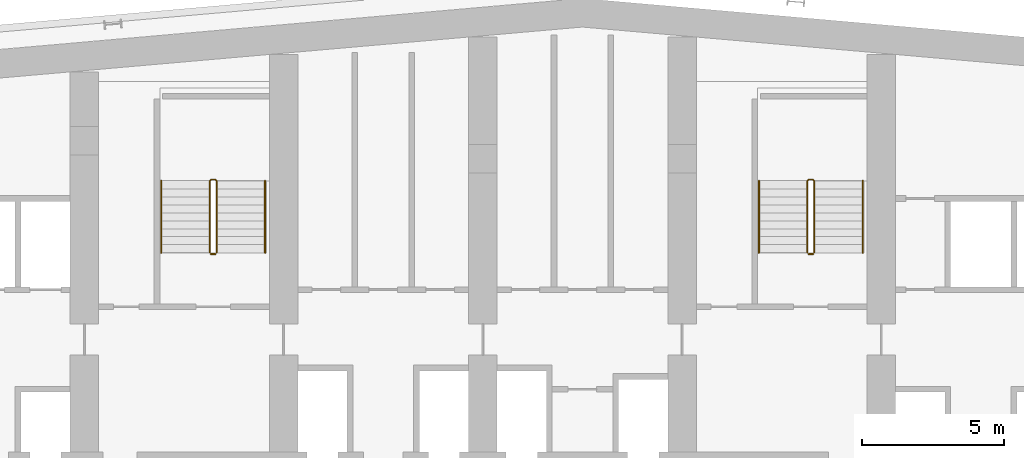
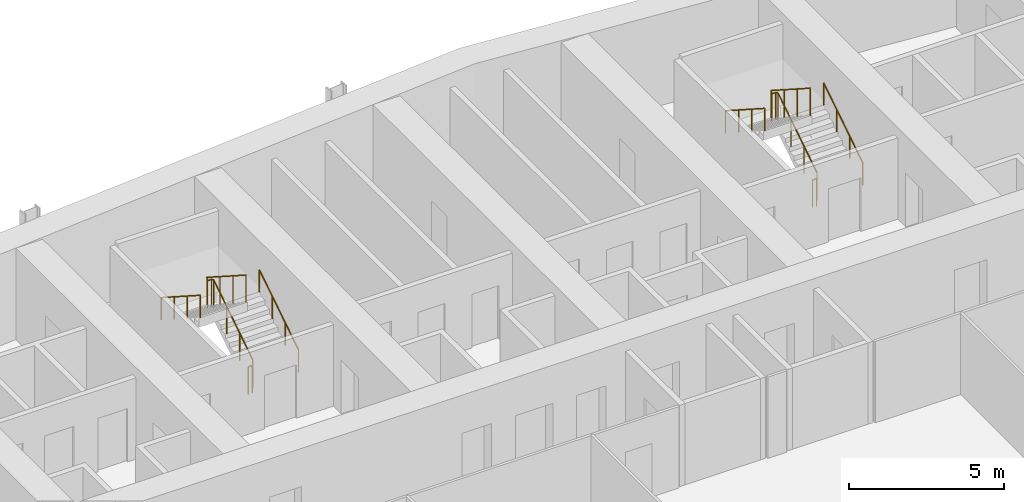
# One storey, part 25 of 26: 8 railings.
"""IFC4 building model written with IfcOpenShell, lengths in metres."""

from ifc_helpers import new_model, si_unit, direction, frame, origin, origin_2d, place, context, subcontext, project, spatial, circle, extrude, material, type_object, element, save


model = new_model("IFC4")

# Units and contexts
model_context = context("Model", 3, precision=1e-05, world=origin(), true_north=direction((0.0, 1.0)))
body_context = subcontext(model_context, "Body", "Model", "MODEL_VIEW")
ifc_project = project(units=[si_unit("LENGTHUNIT", "METRE"), si_unit("AREAUNIT", "SQUARE_METRE"), si_unit("VOLUMEUNIT", "CUBIC_METRE"), si_unit("PLANEANGLEUNIT", "RADIAN"), si_unit("MASSUNIT", "GRAM", prefix="KILO")], contexts=[model_context])

# Site, building, storey
site_placement = place(None, origin())
site = spatial("IfcSite", under=ifc_project, at=site_placement, CompositionType="ELEMENT")
building_placement = place(site_placement, origin())
building = spatial("IfcBuilding", under=site, at=building_placement, Name="Wharfspan Tower", CompositionType="ELEMENT")
storey_placement = place(building_placement, frame((0.0, 0.0, 96.699951)))
storey = spatial("IfcBuildingStorey", under=building, at=storey_placement, Name="L21", CompositionType="ELEMENT", Elevation=96.699951)

# Railings
ifc_material = material(Name="Steel S355J2", Category="steel")
railing_type_1 = type_object("IfcRailingType", Name="Stair guard 1100", PredefinedType="GUARDRAIL", material=ifc_material)
railing_1_placement = place(storey_placement, frame((27.649902, 42.0, 0.179932)))
element("IfcRailing", 1, at=railing_1_placement, inside=storey, type_object=railing_type_1, Name="L21 ST1 stair guard 1", PredefinedType="GUARDRAIL", context=body_context, shape_type="SweptSolid", body=[
    extrude(circle(Radius=0.023926, at=origin_2d()), frame((0.0, 0.0, 1.076172), z_axis=(0.0, 0.841163, 0.540782), x_axis=(-1.0, 0.0, 0.0)), (0.0, 0.0, 1.0), 2.99585),
    extrude(circle(Radius=0.023926, at=origin_2d()), frame((0.0, 2.52002, 2.696289), z_axis=(-0.705376, 0.708834, 0.0), x_axis=(-0.708834, -0.705376, 0.0)), (0.0, 0.0, 1.0), 0.070557),
    extrude(circle(Radius=0.023926, at=origin_2d()), frame((-0.049805, 2.570068, 2.696289), z_axis=(-1.0, 0.0, 0.0), x_axis=(0.0, -1.0, 0.0)), (0.0, 0.0, 1.0), 0.150146),
    extrude(circle(Radius=0.023926, at=origin_2d()), frame((-0.199951, 2.570068, 2.696289), z_axis=(-0.258848, -0.258848, 0.930589), x_axis=(0.707107, -0.707107, 0.0)), (0.0, 0.0, 1.0), 0.193359),
    extrude(circle(Radius=0.023926, at=origin_2d()), frame((-0.25, 2.52002, 2.875977), z_axis=(0.0, -0.841163, 0.540782), x_axis=(1.0, 0.0, 0.0)), (0.0, 0.0, 1.0), 2.99585),
    extrude(circle(Radius=0.020996, at=origin_2d()), origin(), (0.0, 0.0, 1.0), 1.052002),
    extrude(circle(Radius=0.020996, at=origin_2d()), frame((0.0, 0.840088, 0.540039)), (0.0, 0.0, 1.0), 1.052002),
    extrude(circle(Radius=0.020996, at=origin_2d()), frame((0.0, 1.679932, 1.080078)), (0.0, 0.0, 1.0), 1.052002),
    extrude(circle(Radius=0.020996, at=origin_2d()), frame((0.0, 2.52002, 1.620117)), (0.0, 0.0, 1.0), 1.052002),
    extrude(circle(Radius=0.020996, at=origin_2d()), frame((-0.049805, 2.570068, 1.620117)), (0.0, 0.0, 1.0), 1.052002),
    extrude(circle(Radius=0.020996, at=origin_2d()), frame((-0.199951, 2.570068, 1.620117)), (0.0, 0.0, 1.0), 1.052002),
    extrude(circle(Radius=0.020996, at=origin_2d()), frame((-0.25, 2.52002, 1.800049)), (0.0, 0.0, 1.0), 1.052002),
    extrude(circle(Radius=0.020996, at=origin_2d()), frame((-0.25, 1.679932, 2.340088)), (0.0, 0.0, 1.0), 1.052002),
    extrude(circle(Radius=0.020996, at=origin_2d()), frame((-0.25, 0.840088, 2.880127)), (0.0, 0.0, 1.0), 1.052002),
    extrude(circle(Radius=0.020996, at=origin_2d()), frame((-0.25, 0.0, 3.420166)), (0.0, 0.0, 1.0), 1.052002),
])
railing_2_placement = place(storey_placement, frame((27.600098, 41.949951, 0.0)))
element("IfcRailing", 2, at=railing_2_placement, inside=storey, type_object=railing_type_1, Name="L21 ST1 stair guard 2", PredefinedType="GUARDRAIL", context=body_context, shape_type="SweptSolid", body=[
    extrude(circle(Radius=0.023926, at=origin_2d()), frame((0.0, 0.0, 1.076172), z_axis=(-1.0, 0.0, 0.0), x_axis=(0.0, -1.0, 0.0)), (0.0, 0.0, 1.0), 0.150146),
    extrude(circle(Radius=0.020996, at=origin_2d()), origin(), (0.0, 0.0, 1.0), 1.052002),
    extrude(circle(Radius=0.020996, at=origin_2d()), frame((-0.150146, 0.0, 0.0)), (0.0, 0.0, 1.0), 1.052002),
])
railing_3_placement = place(storey_placement, frame((48.649902, 42.0, 0.179932)))
element("IfcRailing", 3, at=railing_3_placement, inside=storey, type_object=railing_type_1, Name="L21 ST2 stair guard 1", PredefinedType="GUARDRAIL", context=body_context, shape_type="SweptSolid", body=[
    extrude(circle(Radius=0.023926, at=origin_2d()), frame((0.0, 0.0, 1.076172), z_axis=(0.0, 0.841163, 0.540782), x_axis=(-1.0, 0.0, 0.0)), (0.0, 0.0, 1.0), 2.99585),
    extrude(circle(Radius=0.023926, at=origin_2d()), frame((0.0, 2.52002, 2.696289), z_axis=(-0.705376, 0.708834, 0.0), x_axis=(-0.708834, -0.705376, 0.0)), (0.0, 0.0, 1.0), 0.070557),
    extrude(circle(Radius=0.023926, at=origin_2d()), frame((-0.049805, 2.570068, 2.696289), z_axis=(-1.0, 0.0, 0.0), x_axis=(0.0, -1.0, 0.0)), (0.0, 0.0, 1.0), 0.150146),
    extrude(circle(Radius=0.023926, at=origin_2d()), frame((-0.199951, 2.570068, 2.696289), z_axis=(-0.258848, -0.258848, 0.930589), x_axis=(0.707107, -0.707107, 0.0)), (0.0, 0.0, 1.0), 0.193359),
    extrude(circle(Radius=0.023926, at=origin_2d()), frame((-0.25, 2.52002, 2.875977), z_axis=(0.0, -0.841163, 0.540782), x_axis=(1.0, 0.0, 0.0)), (0.0, 0.0, 1.0), 2.99585),
    extrude(circle(Radius=0.020996, at=origin_2d()), origin(), (0.0, 0.0, 1.0), 1.052002),
    extrude(circle(Radius=0.020996, at=origin_2d()), frame((0.0, 0.840088, 0.540039)), (0.0, 0.0, 1.0), 1.052002),
    extrude(circle(Radius=0.020996, at=origin_2d()), frame((0.0, 1.679932, 1.080078)), (0.0, 0.0, 1.0), 1.052002),
    extrude(circle(Radius=0.020996, at=origin_2d()), frame((0.0, 2.52002, 1.620117)), (0.0, 0.0, 1.0), 1.052002),
    extrude(circle(Radius=0.020996, at=origin_2d()), frame((-0.049805, 2.570068, 1.620117)), (0.0, 0.0, 1.0), 1.052002),
    extrude(circle(Radius=0.020996, at=origin_2d()), frame((-0.199951, 2.570068, 1.620117)), (0.0, 0.0, 1.0), 1.052002),
    extrude(circle(Radius=0.020996, at=origin_2d()), frame((-0.25, 2.52002, 1.800049)), (0.0, 0.0, 1.0), 1.052002),
    extrude(circle(Radius=0.020996, at=origin_2d()), frame((-0.25, 1.679932, 2.340088)), (0.0, 0.0, 1.0), 1.052002),
    extrude(circle(Radius=0.020996, at=origin_2d()), frame((-0.25, 0.840088, 2.880127)), (0.0, 0.0, 1.0), 1.052002),
    extrude(circle(Radius=0.020996, at=origin_2d()), frame((-0.25, 0.0, 3.420166)), (0.0, 0.0, 1.0), 1.052002),
])
railing_4_placement = place(storey_placement, frame((48.600098, 41.949951, 0.0)))
element("IfcRailing", 4, at=railing_4_placement, inside=storey, type_object=railing_type_1, Name="L21 ST2 stair guard 2", PredefinedType="GUARDRAIL", context=body_context, shape_type="SweptSolid", body=[
    extrude(circle(Radius=0.023926, at=origin_2d()), frame((0.0, 0.0, 1.076172), z_axis=(-1.0, 0.0, 0.0), x_axis=(0.0, -1.0, 0.0)), (0.0, 0.0, 1.0), 0.150146),
    extrude(circle(Radius=0.020996, at=origin_2d()), origin(), (0.0, 0.0, 1.0), 1.052002),
    extrude(circle(Radius=0.020996, at=origin_2d()), frame((-0.150146, 0.0, 0.0)), (0.0, 0.0, 1.0), 1.052002),
])
railing_type_2 = type_object("IfcRailingType", Name="Stair handrail 900", PredefinedType="HANDRAIL", material=ifc_material)
railing_5_placement = place(storey_placement, frame((29.350098, 42.0, 0.179932)))
element("IfcRailing", 5, at=railing_5_placement, inside=storey, type_object=railing_type_2, Name="L21 ST1 stair handrail 1", PredefinedType="HANDRAIL", context=body_context, shape_type="SweptSolid", body=[
    extrude(circle(Radius=0.023926, at=origin_2d()), frame((0.0, 0.0, 0.875977), z_axis=(0.0, 0.841163, 0.540782), x_axis=(-1.0, 0.0, 0.0)), (0.0, 0.0, 1.0), 2.99585),
    extrude(circle(Radius=0.020996, at=origin_2d()), origin(), (0.0, 0.0, 1.0), 0.851807),
    extrude(circle(Radius=0.020996, at=origin_2d()), frame((0.0, 0.840088, 0.540039)), (0.0, 0.0, 1.0), 0.851807),
    extrude(circle(Radius=0.020996, at=origin_2d()), frame((0.0, 1.679932, 1.080078)), (0.0, 0.0, 1.0), 0.851807),
    extrude(circle(Radius=0.020996, at=origin_2d()), frame((0.0, 2.52002, 1.620117)), (0.0, 0.0, 1.0), 0.851807),
])
railing_6_placement = place(storey_placement, frame((25.699951, 44.52002, 1.97998)))
element("IfcRailing", 6, at=railing_6_placement, inside=storey, type_object=railing_type_2, Name="L21 ST1 stair handrail 2", PredefinedType="HANDRAIL", context=body_context, shape_type="SweptSolid", body=[
    extrude(circle(Radius=0.023926, at=origin_2d()), frame((0.0, 0.0, 0.875977), z_axis=(0.0, -0.841163, 0.540782), x_axis=(1.0, 0.0, 0.0)), (0.0, 0.0, 1.0), 2.99585),
    extrude(circle(Radius=0.020996, at=origin_2d()), origin(), (0.0, 0.0, 1.0), 0.851807),
    extrude(circle(Radius=0.020996, at=origin_2d()), frame((0.0, -0.840088, 0.540039)), (0.0, 0.0, 1.0), 0.851807),
    extrude(circle(Radius=0.020996, at=origin_2d()), frame((0.0, -1.679932, 1.080078)), (0.0, 0.0, 1.0), 0.851807),
    extrude(circle(Radius=0.020996, at=origin_2d()), frame((0.0, -2.52002, 1.620117)), (0.0, 0.0, 1.0), 0.851807),
])
railing_7_placement = place(storey_placement, frame((50.350098, 42.0, 0.179932)))
element("IfcRailing", 7, at=railing_7_placement, inside=storey, type_object=railing_type_2, Name="L21 ST2 stair handrail 1", PredefinedType="HANDRAIL", context=body_context, shape_type="SweptSolid", body=[
    extrude(circle(Radius=0.023926, at=origin_2d()), frame((0.0, 0.0, 0.875977), z_axis=(0.0, 0.841163, 0.540782), x_axis=(-1.0, 0.0, 0.0)), (0.0, 0.0, 1.0), 2.99585),
    extrude(circle(Radius=0.020996, at=origin_2d()), origin(), (0.0, 0.0, 1.0), 0.851807),
    extrude(circle(Radius=0.020996, at=origin_2d()), frame((0.0, 0.840088, 0.540039)), (0.0, 0.0, 1.0), 0.851807),
    extrude(circle(Radius=0.020996, at=origin_2d()), frame((0.0, 1.679932, 1.080078)), (0.0, 0.0, 1.0), 0.851807),
    extrude(circle(Radius=0.020996, at=origin_2d()), frame((0.0, 2.52002, 1.620117)), (0.0, 0.0, 1.0), 0.851807),
])
railing_8_placement = place(storey_placement, frame((46.699951, 44.52002, 1.97998)))
element("IfcRailing", 8, at=railing_8_placement, inside=storey, type_object=railing_type_2, Name="L21 ST2 stair handrail 2", PredefinedType="HANDRAIL", context=body_context, shape_type="SweptSolid", body=[
    extrude(circle(Radius=0.023926, at=origin_2d()), frame((0.0, 0.0, 0.875977), z_axis=(0.0, -0.841163, 0.540782), x_axis=(1.0, 0.0, 0.0)), (0.0, 0.0, 1.0), 2.99585),
    extrude(circle(Radius=0.020996, at=origin_2d()), origin(), (0.0, 0.0, 1.0), 0.851807),
    extrude(circle(Radius=0.020996, at=origin_2d()), frame((0.0, -0.840088, 0.540039)), (0.0, 0.0, 1.0), 0.851807),
    extrude(circle(Radius=0.020996, at=origin_2d()), frame((0.0, -1.679932, 1.080078)), (0.0, 0.0, 1.0), 0.851807),
    extrude(circle(Radius=0.020996, at=origin_2d()), frame((0.0, -2.52002, 1.620117)), (0.0, 0.0, 1.0), 0.851807),
])

save(model, "model.ifc")
